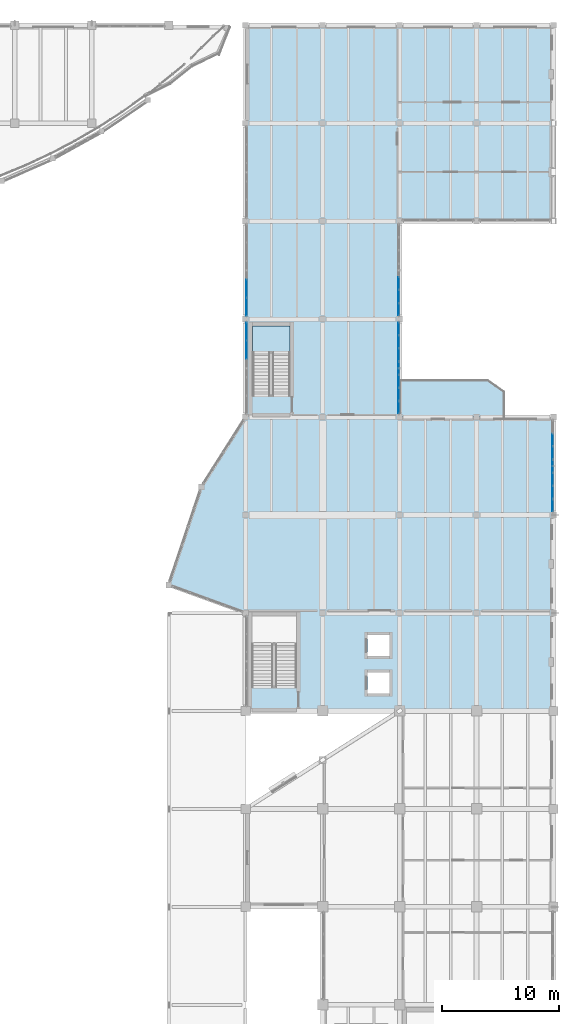
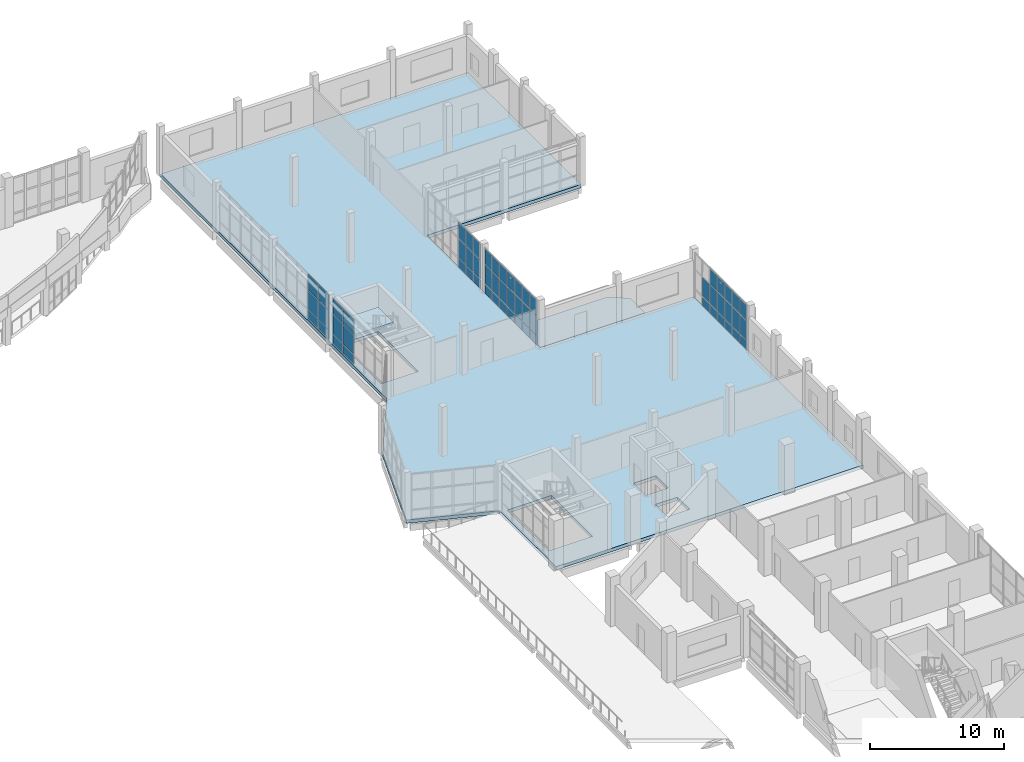
# One storey, part 45 of 83: 59 plates, 3 slabs, 6 elements without a shape of their own.
"""IFC4 building model written with IfcOpenShell, lengths in metres."""

from ifc_helpers import new_model, si_unit, direction, frame, origin, origin_2d, place, context, subcontext, project, spatial, polyline, rectangle, outline, extrude, material, layer, layer_set, type_object, element, aggregate, save


model = new_model("IFC4")

# Units and contexts
model_context = context("Model", 3, precision=1e-05, world=origin(), true_north=direction((0.0, 1.0)))
body_context = subcontext(model_context, "Body", "Model", "MODEL_VIEW")
ifc_project = project(units=[si_unit("LENGTHUNIT", "METRE"), si_unit("AREAUNIT", "SQUARE_METRE"), si_unit("VOLUMEUNIT", "CUBIC_METRE"), si_unit("PLANEANGLEUNIT", "RADIAN"), si_unit("MASSUNIT", "GRAM", prefix="KILO")], contexts=[model_context])

# Site, building, storey
site_placement = place(None, origin())
site = spatial("IfcSite", under=ifc_project, at=site_placement, CompositionType="ELEMENT")
building_placement = place(site_placement, origin())
building = spatial("IfcBuilding", under=site, at=building_placement, Name="Qaldarim Faculty of Natural and Applied Sciences", CompositionType="ELEMENT")
storey_placement = place(building_placement, frame((0.0, 0.0, 5.39990234375)))
storey = spatial("IfcBuildingStorey", under=building, at=storey_placement, Name="L01", CompositionType="ELEMENT", Elevation=5.39990234375)

# Slab
ifc_material_1 = material(Name="Concrete C40/50", Category="concrete")
ifc_layer_1 = layer(ifc_material_1, 0.300048828125)
ifc_layer_set_1 = layer_set([ifc_layer_1], Name="Concrete C40/50")
slab_type_1 = type_object("IfcSlabType", Name="PodiumFloorSlab-300", PredefinedType="FLOOR", material=ifc_layer_set_1)
slab_1_placement = place(storey_placement, frame((0.0, 0.0, -0.2998046875)))
element("IfcSlab", 1, at=slab_1_placement, inside=storey, type_object=slab_type_1, Name="Floor slab L01 V3", PredefinedType="FLOOR", context=body_context, shape_type="SweptSolid", body=[
    extrude(outline(polyline([(148.0, 78.0), (151.800048828125, 84.0), (151.800048828125, 117.60009765625), (178.199951171875, 117.60009765625), (178.199951171875, 100.800048828125), (165.0, 100.800048828125), (165.0, 84.0), (178.199951171875, 84.0), (178.199951171875, 58.800048828125), (151.800048828125, 58.800048828125), (151.800048828125, 67.199951171875), (145.199951171875, 69.60009765625), (148.0, 78.0)]), holes=[polyline([(156.14990234375, 60.864990234375), (156.14990234375, 66.97509765625), (152.35009765625, 66.97509765625), (152.35009765625, 60.864990234375), (156.14990234375, 60.864990234375)]), polyline([(155.60009765625, 85.864990234375), (155.60009765625, 91.824951171875), (152.39990234375, 91.824951171875), (152.39990234375, 85.864990234375), (155.60009765625, 85.864990234375)]), polyline([(162.25, 60.300048828125), (164.14990234375, 60.300048828125), (164.14990234375, 62.10009765625), (162.25, 62.10009765625), (162.25, 60.300048828125)]), polyline([(162.25, 63.5), (164.14990234375, 63.5), (164.14990234375, 65.300048828125), (162.25, 65.300048828125), (162.25, 63.5)])]), origin(), (0.0, 0.0, 1.0), 0.2998046875),
])

# Curtain wall, plates
ifc_material_2 = material(Name="Anodised aluminium AW-6063", Category="aluminium")
curtain_wall_type_1 = type_object("IfcCurtainWallType", Name="CurtainWallSystem-M1200", PredefinedType="USERDEFINED", material=ifc_material_2)
curtain_wall_1_placement = place(storey_placement, origin())
curtain_wall_1 = element("IfcCurtainWall", 2, at=curtain_wall_1_placement, inside=storey, type_object=curtain_wall_type_1, Name="Curtain wall CW-L01-E-X25Y11", ObjectType="STICK CURTAIN WALL", PredefinedType="USERDEFINED")
ifc_material_3 = material(Name="Insulated low-e double glazing", Category="glass")
ifc_layer_2 = layer(ifc_material_3, 0.031982421875)
ifc_layer_set_2 = layer_set([ifc_layer_2], Name="Insulated low-e double glazing")
plate_type_1 = type_object("IfcPlateType", Name="SolarControlGlazingPanel-32", PredefinedType="CURTAIN_PANEL", material=ifc_layer_set_2)
plate_1_placement = place(storey_placement, frame((164.919921875, 84.827392578125, 0.070068359375), z_axis=(0.0, 0.0, 1.0), x_axis=(0.0, 1.0, 0.0)))
plate_1 = element("IfcPlate", 3, at=plate_1_placement, type_object=plate_type_1, Name="Glazed panel 1-1 of CW-L01-E-X25Y11", PredefinedType="CURTAIN_PANEL", context=body_context, shape_type="SweptSolid", body=[
    extrude(rectangle(XDim=1.02490234375, YDim=0.031982421875, at=origin_2d()), origin(), (0.0, 0.0, 1.0), 0.794921875),
])
plate_2_placement = place(storey_placement, frame((164.919921875, 84.827392578125, 0.93505859375), z_axis=(0.0, 0.0, 1.0), x_axis=(0.0, 1.0, 0.0)))
plate_2 = element("IfcPlate", 4, at=plate_2_placement, type_object=plate_type_1, Name="Glazed panel 1-2 of CW-L01-E-X25Y11", PredefinedType="CURTAIN_PANEL", context=body_context, shape_type="SweptSolid", body=[
    extrude(rectangle(XDim=1.02490234375, YDim=0.031982421875, at=origin_2d()), origin(), (0.0, 0.0, 1.0), 1.72998046875),
])
plate_3_placement = place(storey_placement, frame((164.919921875, 84.827392578125, 2.735107421875), z_axis=(0.0, 0.0, 1.0), x_axis=(0.0, 1.0, 0.0)))
plate_3 = element("IfcPlate", 5, at=plate_3_placement, type_object=plate_type_1, Name="Glazed panel 1-3 of CW-L01-E-X25Y11", PredefinedType="CURTAIN_PANEL", context=body_context, shape_type="SweptSolid", body=[
    extrude(rectangle(XDim=1.02490234375, YDim=0.031982421875, at=origin_2d()), origin(), (0.0, 0.0, 1.0), 1.39501953125),
])
plate_4_placement = place(storey_placement, frame((164.919921875, 85.93994140625, 0.070068359375), z_axis=(0.0, 0.0, 1.0), x_axis=(0.0, 1.0, 0.0)))
plate_4 = element("IfcPlate", 6, at=plate_4_placement, type_object=plate_type_1, Name="Glazed panel 2-1 of CW-L01-E-X25Y11", PredefinedType="CURTAIN_PANEL", context=body_context, shape_type="SweptSolid", body=[
    extrude(rectangle(XDim=1.06005859375, YDim=0.031982421875, at=origin_2d()), origin(), (0.0, 0.0, 1.0), 0.794921875),
])
plate_5_placement = place(storey_placement, frame((164.919921875, 85.93994140625, 0.93505859375), z_axis=(0.0, 0.0, 1.0), x_axis=(0.0, 1.0, 0.0)))
plate_5 = element("IfcPlate", 7, at=plate_5_placement, type_object=plate_type_1, Name="Glazed panel 2-2 of CW-L01-E-X25Y11", PredefinedType="CURTAIN_PANEL", context=body_context, shape_type="SweptSolid", body=[
    extrude(rectangle(XDim=1.06005859375, YDim=0.031982421875, at=origin_2d()), origin(), (0.0, 0.0, 1.0), 1.72998046875),
])
plate_6_placement = place(storey_placement, frame((164.919921875, 85.93994140625, 2.735107421875), z_axis=(0.0, 0.0, 1.0), x_axis=(0.0, 1.0, 0.0)))
plate_6 = element("IfcPlate", 8, at=plate_6_placement, type_object=plate_type_1, Name="Glazed panel 2-3 of CW-L01-E-X25Y11", PredefinedType="CURTAIN_PANEL", context=body_context, shape_type="SweptSolid", body=[
    extrude(rectangle(XDim=1.06005859375, YDim=0.031982421875, at=origin_2d()), origin(), (0.0, 0.0, 1.0), 1.39501953125),
])
plate_7_placement = place(storey_placement, frame((164.919921875, 87.070068359375, 0.070068359375), z_axis=(0.0, 0.0, 1.0), x_axis=(0.0, 1.0, 0.0)))
plate_7 = element("IfcPlate", 9, at=plate_7_placement, type_object=plate_type_1, Name="Glazed panel 3-1 of CW-L01-E-X25Y11", PredefinedType="CURTAIN_PANEL", context=body_context, shape_type="SweptSolid", body=[
    extrude(rectangle(XDim=1.06005859375, YDim=0.031982421875, at=origin_2d()), origin(), (0.0, 0.0, 1.0), 0.794921875),
])
plate_8_placement = place(storey_placement, frame((164.919921875, 87.070068359375, 0.93505859375), z_axis=(0.0, 0.0, 1.0), x_axis=(0.0, 1.0, 0.0)))
plate_8 = element("IfcPlate", 10, at=plate_8_placement, type_object=plate_type_1, Name="Glazed panel 3-2 of CW-L01-E-X25Y11", PredefinedType="CURTAIN_PANEL", context=body_context, shape_type="SweptSolid", body=[
    extrude(rectangle(XDim=1.06005859375, YDim=0.031982421875, at=origin_2d()), origin(), (0.0, 0.0, 1.0), 1.72998046875),
])
plate_9_placement = place(storey_placement, frame((164.919921875, 87.070068359375, 2.735107421875), z_axis=(0.0, 0.0, 1.0), x_axis=(0.0, 1.0, 0.0)))
plate_9 = element("IfcPlate", 11, at=plate_9_placement, type_object=plate_type_1, Name="Glazed panel 3-3 of CW-L01-E-X25Y11", PredefinedType="CURTAIN_PANEL", context=body_context, shape_type="SweptSolid", body=[
    extrude(rectangle(XDim=1.06005859375, YDim=0.031982421875, at=origin_2d()), origin(), (0.0, 0.0, 1.0), 1.39501953125),
])
plate_10_placement = place(storey_placement, frame((164.919921875, 88.199951171875, 0.070068359375), z_axis=(0.0, 0.0, 1.0), x_axis=(0.0, 1.0, 0.0)))
plate_10 = element("IfcPlate", 12, at=plate_10_placement, type_object=plate_type_1, Name="Glazed panel 4-1 of CW-L01-E-X25Y11", PredefinedType="CURTAIN_PANEL", context=body_context, shape_type="SweptSolid", body=[
    extrude(rectangle(XDim=1.06005859375, YDim=0.031982421875, at=origin_2d()), origin(), (0.0, 0.0, 1.0), 0.794921875),
])
plate_11_placement = place(storey_placement, frame((164.919921875, 88.199951171875, 0.93505859375), z_axis=(0.0, 0.0, 1.0), x_axis=(0.0, 1.0, 0.0)))
plate_11 = element("IfcPlate", 13, at=plate_11_placement, type_object=plate_type_1, Name="Glazed panel 4-2 of CW-L01-E-X25Y11", PredefinedType="CURTAIN_PANEL", context=body_context, shape_type="SweptSolid", body=[
    extrude(rectangle(XDim=1.06005859375, YDim=0.031982421875, at=origin_2d()), origin(), (0.0, 0.0, 1.0), 1.72998046875),
])
plate_12_placement = place(storey_placement, frame((164.919921875, 88.199951171875, 2.735107421875), z_axis=(0.0, 0.0, 1.0), x_axis=(0.0, 1.0, 0.0)))
plate_12 = element("IfcPlate", 14, at=plate_12_placement, type_object=plate_type_1, Name="Glazed panel 4-3 of CW-L01-E-X25Y11", PredefinedType="CURTAIN_PANEL", context=body_context, shape_type="SweptSolid", body=[
    extrude(rectangle(XDim=1.06005859375, YDim=0.031982421875, at=origin_2d()), origin(), (0.0, 0.0, 1.0), 1.39501953125),
])
plate_13_placement = place(storey_placement, frame((164.919921875, 89.330078125, 0.070068359375), z_axis=(0.0, 0.0, 1.0), x_axis=(0.0, 1.0, 0.0)))
plate_13 = element("IfcPlate", 15, at=plate_13_placement, type_object=plate_type_1, Name="Glazed panel 5-1 of CW-L01-E-X25Y11", PredefinedType="CURTAIN_PANEL", context=body_context, shape_type="SweptSolid", body=[
    extrude(rectangle(XDim=1.06005859375, YDim=0.031982421875, at=origin_2d()), origin(), (0.0, 0.0, 1.0), 0.794921875),
])
plate_14_placement = place(storey_placement, frame((164.919921875, 89.330078125, 0.93505859375), z_axis=(0.0, 0.0, 1.0), x_axis=(0.0, 1.0, 0.0)))
plate_14 = element("IfcPlate", 16, at=plate_14_placement, type_object=plate_type_1, Name="Glazed panel 5-2 of CW-L01-E-X25Y11", PredefinedType="CURTAIN_PANEL", context=body_context, shape_type="SweptSolid", body=[
    extrude(rectangle(XDim=1.06005859375, YDim=0.031982421875, at=origin_2d()), origin(), (0.0, 0.0, 1.0), 1.72998046875),
])
plate_15_placement = place(storey_placement, frame((164.919921875, 89.330078125, 2.735107421875), z_axis=(0.0, 0.0, 1.0), x_axis=(0.0, 1.0, 0.0)))
plate_15 = element("IfcPlate", 17, at=plate_15_placement, type_object=plate_type_1, Name="Glazed panel 5-3 of CW-L01-E-X25Y11", PredefinedType="CURTAIN_PANEL", context=body_context, shape_type="SweptSolid", body=[
    extrude(rectangle(XDim=1.06005859375, YDim=0.031982421875, at=origin_2d()), origin(), (0.0, 0.0, 1.0), 1.39501953125),
])
plate_16_placement = place(storey_placement, frame((164.919921875, 90.4599609375, 0.070068359375), z_axis=(0.0, 0.0, 1.0), x_axis=(0.0, 1.0, 0.0)))
plate_16 = element("IfcPlate", 18, at=plate_16_placement, type_object=plate_type_1, Name="Glazed panel 6-1 of CW-L01-E-X25Y11", PredefinedType="CURTAIN_PANEL", context=body_context, shape_type="SweptSolid", body=[
    extrude(rectangle(XDim=1.06005859375, YDim=0.031982421875, at=origin_2d()), origin(), (0.0, 0.0, 1.0), 0.794921875),
])
plate_17_placement = place(storey_placement, frame((164.919921875, 90.4599609375, 0.93505859375), z_axis=(0.0, 0.0, 1.0), x_axis=(0.0, 1.0, 0.0)))
plate_17 = element("IfcPlate", 19, at=plate_17_placement, type_object=plate_type_1, Name="Glazed panel 6-2 of CW-L01-E-X25Y11", PredefinedType="CURTAIN_PANEL", context=body_context, shape_type="SweptSolid", body=[
    extrude(rectangle(XDim=1.06005859375, YDim=0.031982421875, at=origin_2d()), origin(), (0.0, 0.0, 1.0), 1.72998046875),
])
plate_18_placement = place(storey_placement, frame((164.919921875, 90.4599609375, 2.735107421875), z_axis=(0.0, 0.0, 1.0), x_axis=(0.0, 1.0, 0.0)))
plate_18 = element("IfcPlate", 20, at=plate_18_placement, type_object=plate_type_1, Name="Glazed panel 6-3 of CW-L01-E-X25Y11", PredefinedType="CURTAIN_PANEL", context=body_context, shape_type="SweptSolid", body=[
    extrude(rectangle(XDim=1.06005859375, YDim=0.031982421875, at=origin_2d()), origin(), (0.0, 0.0, 1.0), 1.39501953125),
])
plate_19_placement = place(storey_placement, frame((164.919921875, 91.572509765625, 0.070068359375), z_axis=(0.0, 0.0, 1.0), x_axis=(0.0, 1.0, 0.0)))
plate_19 = element("IfcPlate", 21, at=plate_19_placement, type_object=plate_type_1, Name="Glazed panel 7-1 of CW-L01-E-X25Y11", PredefinedType="CURTAIN_PANEL", context=body_context, shape_type="SweptSolid", body=[
    extrude(rectangle(XDim=1.02490234375, YDim=0.031982421875, at=origin_2d()), origin(), (0.0, 0.0, 1.0), 0.794921875),
])
plate_20_placement = place(storey_placement, frame((164.919921875, 91.572509765625, 0.93505859375), z_axis=(0.0, 0.0, 1.0), x_axis=(0.0, 1.0, 0.0)))
plate_20 = element("IfcPlate", 22, at=plate_20_placement, type_object=plate_type_1, Name="Glazed panel 7-2 of CW-L01-E-X25Y11", PredefinedType="CURTAIN_PANEL", context=body_context, shape_type="SweptSolid", body=[
    extrude(rectangle(XDim=1.02490234375, YDim=0.031982421875, at=origin_2d()), origin(), (0.0, 0.0, 1.0), 1.72998046875),
])
plate_21_placement = place(storey_placement, frame((164.919921875, 91.572509765625, 2.735107421875), z_axis=(0.0, 0.0, 1.0), x_axis=(0.0, 1.0, 0.0)))
plate_21 = element("IfcPlate", 23, at=plate_21_placement, type_object=plate_type_1, Name="Glazed panel 7-3 of CW-L01-E-X25Y11", PredefinedType="CURTAIN_PANEL", context=body_context, shape_type="SweptSolid", body=[
    extrude(rectangle(XDim=1.02490234375, YDim=0.031982421875, at=origin_2d()), origin(), (0.0, 0.0, 1.0), 1.39501953125),
])
aggregate(curtain_wall_1, [plate_1, plate_2, plate_3, plate_4, plate_5, plate_6, plate_7, plate_8, plate_9, plate_10, plate_11, plate_12, plate_13, plate_14, plate_15, plate_16, plate_17, plate_18, plate_19, plate_20, plate_21])

curtain_wall_2_placement = place(storey_placement, origin())
curtain_wall_2 = element("IfcCurtainWall", 24, at=curtain_wall_2_placement, inside=storey, type_object=curtain_wall_type_1, Name="Curtain wall CW-L01-E-X25Y12", ObjectType="STICK CURTAIN WALL", PredefinedType="USERDEFINED")
plate_22_placement = place(storey_placement, frame((164.919921875, 93.2275390625, 0.070068359375), z_axis=(0.0, 0.0, 1.0), x_axis=(0.0, 1.0, 0.0)))
plate_22 = element("IfcPlate", 25, at=plate_22_placement, type_object=plate_type_1, Name="Glazed panel 1-1 of CW-L01-E-X25Y12", PredefinedType="CURTAIN_PANEL", context=body_context, shape_type="SweptSolid", body=[
    extrude(rectangle(XDim=1.02490234375, YDim=0.031982421875, at=origin_2d()), origin(), (0.0, 0.0, 1.0), 0.794921875),
])
plate_23_placement = place(storey_placement, frame((164.919921875, 93.2275390625, 0.93505859375), z_axis=(0.0, 0.0, 1.0), x_axis=(0.0, 1.0, 0.0)))
plate_23 = element("IfcPlate", 26, at=plate_23_placement, type_object=plate_type_1, Name="Glazed panel 1-2 of CW-L01-E-X25Y12", PredefinedType="CURTAIN_PANEL", context=body_context, shape_type="SweptSolid", body=[
    extrude(rectangle(XDim=1.02490234375, YDim=0.031982421875, at=origin_2d()), origin(), (0.0, 0.0, 1.0), 1.72998046875),
])
plate_24_placement = place(storey_placement, frame((164.919921875, 93.2275390625, 2.735107421875), z_axis=(0.0, 0.0, 1.0), x_axis=(0.0, 1.0, 0.0)))
plate_24 = element("IfcPlate", 27, at=plate_24_placement, type_object=plate_type_1, Name="Glazed panel 1-3 of CW-L01-E-X25Y12", PredefinedType="CURTAIN_PANEL", context=body_context, shape_type="SweptSolid", body=[
    extrude(rectangle(XDim=1.02490234375, YDim=0.031982421875, at=origin_2d()), origin(), (0.0, 0.0, 1.0), 1.39501953125),
])
plate_25_placement = place(storey_placement, frame((164.919921875, 94.340087890625, 0.070068359375), z_axis=(0.0, 0.0, 1.0), x_axis=(0.0, 1.0, 0.0)))
plate_25 = element("IfcPlate", 28, at=plate_25_placement, type_object=plate_type_1, Name="Glazed panel 2-1 of CW-L01-E-X25Y12", PredefinedType="CURTAIN_PANEL", context=body_context, shape_type="SweptSolid", body=[
    extrude(rectangle(XDim=1.06005859375, YDim=0.031982421875, at=origin_2d()), origin(), (0.0, 0.0, 1.0), 0.794921875),
])
plate_26_placement = place(storey_placement, frame((164.919921875, 94.340087890625, 0.93505859375), z_axis=(0.0, 0.0, 1.0), x_axis=(0.0, 1.0, 0.0)))
plate_26 = element("IfcPlate", 29, at=plate_26_placement, type_object=plate_type_1, Name="Glazed panel 2-2 of CW-L01-E-X25Y12", PredefinedType="CURTAIN_PANEL", context=body_context, shape_type="SweptSolid", body=[
    extrude(rectangle(XDim=1.06005859375, YDim=0.031982421875, at=origin_2d()), origin(), (0.0, 0.0, 1.0), 1.72998046875),
])
plate_27_placement = place(storey_placement, frame((164.919921875, 94.340087890625, 2.735107421875), z_axis=(0.0, 0.0, 1.0), x_axis=(0.0, 1.0, 0.0)))
plate_27 = element("IfcPlate", 30, at=plate_27_placement, type_object=plate_type_1, Name="Glazed panel 2-3 of CW-L01-E-X25Y12", PredefinedType="CURTAIN_PANEL", context=body_context, shape_type="SweptSolid", body=[
    extrude(rectangle(XDim=1.06005859375, YDim=0.031982421875, at=origin_2d()), origin(), (0.0, 0.0, 1.0), 1.39501953125),
])
plate_28_placement = place(storey_placement, frame((164.919921875, 95.469970703125, 0.070068359375), z_axis=(0.0, 0.0, 1.0), x_axis=(0.0, 1.0, 0.0)))
plate_28 = element("IfcPlate", 31, at=plate_28_placement, type_object=plate_type_1, Name="Glazed panel 3-1 of CW-L01-E-X25Y12", PredefinedType="CURTAIN_PANEL", context=body_context, shape_type="SweptSolid", body=[
    extrude(rectangle(XDim=1.06005859375, YDim=0.031982421875, at=origin_2d()), origin(), (0.0, 0.0, 1.0), 0.794921875),
])
plate_29_placement = place(storey_placement, frame((164.919921875, 95.469970703125, 0.93505859375), z_axis=(0.0, 0.0, 1.0), x_axis=(0.0, 1.0, 0.0)))
plate_29 = element("IfcPlate", 32, at=plate_29_placement, type_object=plate_type_1, Name="Glazed panel 3-2 of CW-L01-E-X25Y12", PredefinedType="CURTAIN_PANEL", context=body_context, shape_type="SweptSolid", body=[
    extrude(rectangle(XDim=1.06005859375, YDim=0.031982421875, at=origin_2d()), origin(), (0.0, 0.0, 1.0), 1.72998046875),
])
plate_30_placement = place(storey_placement, frame((164.919921875, 95.469970703125, 2.735107421875), z_axis=(0.0, 0.0, 1.0), x_axis=(0.0, 1.0, 0.0)))
plate_30 = element("IfcPlate", 33, at=plate_30_placement, type_object=plate_type_1, Name="Glazed panel 3-3 of CW-L01-E-X25Y12", PredefinedType="CURTAIN_PANEL", context=body_context, shape_type="SweptSolid", body=[
    extrude(rectangle(XDim=1.06005859375, YDim=0.031982421875, at=origin_2d()), origin(), (0.0, 0.0, 1.0), 1.39501953125),
])
aggregate(curtain_wall_2, [plate_22, plate_23, plate_24, plate_25, plate_26, plate_27, plate_28, plate_29, plate_30])

curtain_wall_3_placement = place(storey_placement, origin())
curtain_wall_3 = element("IfcCurtainWall", 34, at=curtain_wall_3_placement, inside=storey, type_object=curtain_wall_type_1, Name="Curtain wall CW-L01-E-X27Y10", ObjectType="STICK CURTAIN WALL", PredefinedType="USERDEFINED")
plate_31_placement = place(storey_placement, frame((178.1201171875, 76.427490234375, 0.070068359375), z_axis=(0.0, 0.0, 1.0), x_axis=(0.0, 1.0, 0.0)))
plate_31 = element("IfcPlate", 35, at=plate_31_placement, type_object=plate_type_1, Name="Glazed panel 1-1 of CW-L01-E-X27Y10", PredefinedType="CURTAIN_PANEL", context=body_context, shape_type="SweptSolid", body=[
    extrude(rectangle(XDim=1.02490234375, YDim=0.031982421875, at=origin_2d()), origin(), (0.0, 0.0, 1.0), 0.794921875),
])
plate_32_placement = place(storey_placement, frame((178.1201171875, 76.427490234375, 0.93505859375), z_axis=(0.0, 0.0, 1.0), x_axis=(0.0, 1.0, 0.0)))
plate_32 = element("IfcPlate", 36, at=plate_32_placement, type_object=plate_type_1, Name="Glazed panel 1-2 of CW-L01-E-X27Y10", PredefinedType="CURTAIN_PANEL", context=body_context, shape_type="SweptSolid", body=[
    extrude(rectangle(XDim=1.02490234375, YDim=0.031982421875, at=origin_2d()), origin(), (0.0, 0.0, 1.0), 1.72998046875),
])
plate_33_placement = place(storey_placement, frame((178.1201171875, 76.427490234375, 2.735107421875), z_axis=(0.0, 0.0, 1.0), x_axis=(0.0, 1.0, 0.0)))
plate_33 = element("IfcPlate", 37, at=plate_33_placement, type_object=plate_type_1, Name="Glazed panel 1-3 of CW-L01-E-X27Y10", PredefinedType="CURTAIN_PANEL", context=body_context, shape_type="SweptSolid", body=[
    extrude(rectangle(XDim=1.02490234375, YDim=0.031982421875, at=origin_2d()), origin(), (0.0, 0.0, 1.0), 1.39501953125),
])
plate_34_placement = place(storey_placement, frame((178.1201171875, 77.5400390625, 0.070068359375), z_axis=(0.0, 0.0, 1.0), x_axis=(0.0, 1.0, 0.0)))
plate_34 = element("IfcPlate", 38, at=plate_34_placement, type_object=plate_type_1, Name="Glazed panel 2-1 of CW-L01-E-X27Y10", PredefinedType="CURTAIN_PANEL", context=body_context, shape_type="SweptSolid", body=[
    extrude(rectangle(XDim=1.06005859375, YDim=0.031982421875, at=origin_2d()), origin(), (0.0, 0.0, 1.0), 0.794921875),
])
plate_35_placement = place(storey_placement, frame((178.1201171875, 77.5400390625, 0.93505859375), z_axis=(0.0, 0.0, 1.0), x_axis=(0.0, 1.0, 0.0)))
plate_35 = element("IfcPlate", 39, at=plate_35_placement, type_object=plate_type_1, Name="Glazed panel 2-2 of CW-L01-E-X27Y10", PredefinedType="CURTAIN_PANEL", context=body_context, shape_type="SweptSolid", body=[
    extrude(rectangle(XDim=1.06005859375, YDim=0.031982421875, at=origin_2d()), origin(), (0.0, 0.0, 1.0), 1.72998046875),
])
plate_36_placement = place(storey_placement, frame((178.1201171875, 77.5400390625, 2.735107421875), z_axis=(0.0, 0.0, 1.0), x_axis=(0.0, 1.0, 0.0)))
plate_36 = element("IfcPlate", 40, at=plate_36_placement, type_object=plate_type_1, Name="Glazed panel 2-3 of CW-L01-E-X27Y10", PredefinedType="CURTAIN_PANEL", context=body_context, shape_type="SweptSolid", body=[
    extrude(rectangle(XDim=1.06005859375, YDim=0.031982421875, at=origin_2d()), origin(), (0.0, 0.0, 1.0), 1.39501953125),
])
plate_37_placement = place(storey_placement, frame((178.1201171875, 78.669921875, 0.070068359375), z_axis=(0.0, 0.0, 1.0), x_axis=(0.0, 1.0, 0.0)))
plate_37 = element("IfcPlate", 41, at=plate_37_placement, type_object=plate_type_1, Name="Glazed panel 3-1 of CW-L01-E-X27Y10", PredefinedType="CURTAIN_PANEL", context=body_context, shape_type="SweptSolid", body=[
    extrude(rectangle(XDim=1.06005859375, YDim=0.031982421875, at=origin_2d()), origin(), (0.0, 0.0, 1.0), 0.794921875),
])
plate_38_placement = place(storey_placement, frame((178.1201171875, 78.669921875, 0.93505859375), z_axis=(0.0, 0.0, 1.0), x_axis=(0.0, 1.0, 0.0)))
plate_38 = element("IfcPlate", 42, at=plate_38_placement, type_object=plate_type_1, Name="Glazed panel 3-2 of CW-L01-E-X27Y10", PredefinedType="CURTAIN_PANEL", context=body_context, shape_type="SweptSolid", body=[
    extrude(rectangle(XDim=1.06005859375, YDim=0.031982421875, at=origin_2d()), origin(), (0.0, 0.0, 1.0), 1.72998046875),
])
plate_39_placement = place(storey_placement, frame((178.1201171875, 78.669921875, 2.735107421875), z_axis=(0.0, 0.0, 1.0), x_axis=(0.0, 1.0, 0.0)))
plate_39 = element("IfcPlate", 43, at=plate_39_placement, type_object=plate_type_1, Name="Glazed panel 3-3 of CW-L01-E-X27Y10", PredefinedType="CURTAIN_PANEL", context=body_context, shape_type="SweptSolid", body=[
    extrude(rectangle(XDim=1.06005859375, YDim=0.031982421875, at=origin_2d()), origin(), (0.0, 0.0, 1.0), 1.39501953125),
])
plate_40_placement = place(storey_placement, frame((178.1201171875, 79.800048828125, 0.070068359375), z_axis=(0.0, 0.0, 1.0), x_axis=(0.0, 1.0, 0.0)))
plate_40 = element("IfcPlate", 44, at=plate_40_placement, type_object=plate_type_1, Name="Glazed panel 4-1 of CW-L01-E-X27Y10", PredefinedType="CURTAIN_PANEL", context=body_context, shape_type="SweptSolid", body=[
    extrude(rectangle(XDim=1.06005859375, YDim=0.031982421875, at=origin_2d()), origin(), (0.0, 0.0, 1.0), 0.794921875),
])
plate_41_placement = place(storey_placement, frame((178.1201171875, 79.800048828125, 0.93505859375), z_axis=(0.0, 0.0, 1.0), x_axis=(0.0, 1.0, 0.0)))
plate_41 = element("IfcPlate", 45, at=plate_41_placement, type_object=plate_type_1, Name="Glazed panel 4-2 of CW-L01-E-X27Y10", PredefinedType="CURTAIN_PANEL", context=body_context, shape_type="SweptSolid", body=[
    extrude(rectangle(XDim=1.06005859375, YDim=0.031982421875, at=origin_2d()), origin(), (0.0, 0.0, 1.0), 1.72998046875),
])
plate_42_placement = place(storey_placement, frame((178.1201171875, 79.800048828125, 2.735107421875), z_axis=(0.0, 0.0, 1.0), x_axis=(0.0, 1.0, 0.0)))
plate_42 = element("IfcPlate", 46, at=plate_42_placement, type_object=plate_type_1, Name="Glazed panel 4-3 of CW-L01-E-X27Y10", PredefinedType="CURTAIN_PANEL", context=body_context, shape_type="SweptSolid", body=[
    extrude(rectangle(XDim=1.06005859375, YDim=0.031982421875, at=origin_2d()), origin(), (0.0, 0.0, 1.0), 1.39501953125),
])
plate_43_placement = place(storey_placement, frame((178.1201171875, 80.929931640625, 0.070068359375), z_axis=(0.0, 0.0, 1.0), x_axis=(0.0, 1.0, 0.0)))
plate_43 = element("IfcPlate", 47, at=plate_43_placement, type_object=plate_type_1, Name="Glazed panel 5-1 of CW-L01-E-X27Y10", PredefinedType="CURTAIN_PANEL", context=body_context, shape_type="SweptSolid", body=[
    extrude(rectangle(XDim=1.06005859375, YDim=0.031982421875, at=origin_2d()), origin(), (0.0, 0.0, 1.0), 0.794921875),
])
plate_44_placement = place(storey_placement, frame((178.1201171875, 80.929931640625, 0.93505859375), z_axis=(0.0, 0.0, 1.0), x_axis=(0.0, 1.0, 0.0)))
plate_44 = element("IfcPlate", 48, at=plate_44_placement, type_object=plate_type_1, Name="Glazed panel 5-2 of CW-L01-E-X27Y10", PredefinedType="CURTAIN_PANEL", context=body_context, shape_type="SweptSolid", body=[
    extrude(rectangle(XDim=1.06005859375, YDim=0.031982421875, at=origin_2d()), origin(), (0.0, 0.0, 1.0), 1.72998046875),
])
plate_45_placement = place(storey_placement, frame((178.1201171875, 80.929931640625, 2.735107421875), z_axis=(0.0, 0.0, 1.0), x_axis=(0.0, 1.0, 0.0)))
plate_45 = element("IfcPlate", 49, at=plate_45_placement, type_object=plate_type_1, Name="Glazed panel 5-3 of CW-L01-E-X27Y10", PredefinedType="CURTAIN_PANEL", context=body_context, shape_type="SweptSolid", body=[
    extrude(rectangle(XDim=1.06005859375, YDim=0.031982421875, at=origin_2d()), origin(), (0.0, 0.0, 1.0), 1.39501953125),
])
plate_46_placement = place(storey_placement, frame((178.1201171875, 82.06005859375, 0.070068359375), z_axis=(0.0, 0.0, 1.0), x_axis=(0.0, 1.0, 0.0)))
plate_46 = element("IfcPlate", 50, at=plate_46_placement, type_object=plate_type_1, Name="Glazed panel 6-1 of CW-L01-E-X27Y10", PredefinedType="CURTAIN_PANEL", context=body_context, shape_type="SweptSolid", body=[
    extrude(rectangle(XDim=1.06005859375, YDim=0.031982421875, at=origin_2d()), origin(), (0.0, 0.0, 1.0), 0.794921875),
])
plate_47_placement = place(storey_placement, frame((178.1201171875, 82.06005859375, 0.93505859375), z_axis=(0.0, 0.0, 1.0), x_axis=(0.0, 1.0, 0.0)))
plate_47 = element("IfcPlate", 51, at=plate_47_placement, type_object=plate_type_1, Name="Glazed panel 6-2 of CW-L01-E-X27Y10", PredefinedType="CURTAIN_PANEL", context=body_context, shape_type="SweptSolid", body=[
    extrude(rectangle(XDim=1.06005859375, YDim=0.031982421875, at=origin_2d()), origin(), (0.0, 0.0, 1.0), 1.72998046875),
])
aggregate(curtain_wall_3, [plate_31, plate_32, plate_33, plate_34, plate_35, plate_36, plate_37, plate_38, plate_39, plate_40, plate_41, plate_42, plate_43, plate_44, plate_45, plate_46, plate_47])

# Stair, slab
stair_type = type_object("IfcStairType", Name="DoglegStair-W1500-H4500-28R", PredefinedType="HALF_TURN_STAIR", material=ifc_material_1)
stair_placement = place(storey_placement, origin())
stair = element("IfcStair", 52, at=stair_placement, inside=storey, type_object=stair_type, Name="Enclosed exit stair ST-C2 L01", PredefinedType="HALF_TURN_STAIR")
ifc_layer_3 = layer(ifc_material_1, 0.2099609375)
ifc_layer_set_3 = layer_set([ifc_layer_3], Name="Concrete C40/50")
slab_type_2 = type_object("IfcSlabType", Name="StairLandingSlab-210", PredefinedType="LANDING", material=ifc_layer_set_3)
slab_2_placement = place(storey_placement, frame((0.0, 0.0, 2.0400390625)))
slab_2 = element("IfcSlab", 53, at=slab_2_placement, type_object=slab_type_2, Name="ST-C2 L01 half-landing 1", PredefinedType="LANDING", context=body_context, shape_type="SweptSolid", body=[
    extrude(outline(polyline([(155.60009765625, 89.5400390625), (155.60009765625, 91.800048828125), (152.39990234375, 91.800048828125), (152.39990234375, 89.5400390625), (155.60009765625, 89.5400390625)])), origin(), (0.0, 0.0, 1.0), 0.2099609375),
])
aggregate(stair, [slab_2])

# Slab
ifc_layer_4 = layer(ifc_material_1, 0.179931640625)
ifc_layer_set_4 = layer_set([ifc_layer_4], Name="Concrete C40/50")
slab_type_3 = type_object("IfcSlabType", Name="TerraceBalconySlab-180", PredefinedType="FLOOR", material=ifc_layer_set_4)
slab_3_placement = place(storey_placement, frame((0.0, 0.0, -0.179931640625)))
element("IfcSlab", 54, at=slab_3_placement, inside=storey, type_object=slab_type_3, Name="East botanical court reading balcony L01", PredefinedType="FLOOR", context=body_context, shape_type="SweptSolid", body=[
    extrude(outline(polyline([(165.0, 84.0), (174.0, 84.0), (174.0, 86.199951171875), (172.60009765625, 87.199951171875), (165.0, 87.199951171875), (165.0, 84.0)])), origin(), (0.0, 0.0, 1.0), 0.179931640625),
])

# Curtain wall, plates
curtain_wall_type_2 = type_object("IfcCurtainWallType", Name="CurtainWallSystem-M1600", PredefinedType="USERDEFINED", material=ifc_material_2)
curtain_wall_4_placement = place(storey_placement, origin())
curtain_wall_4 = element("IfcCurtainWall", 55, at=curtain_wall_4_placement, inside=storey, type_object=curtain_wall_type_2, Name="Curtain wall CW-L01-W-X24Y11", ObjectType="UNITISED FACADE", PredefinedType="USERDEFINED")
ifc_layer_5 = layer(ifc_material_3, 0.028076171875)
ifc_layer_set_5 = layer_set([ifc_layer_5], Name="Insulated low-e double glazing")
plate_type_2 = type_object("IfcPlateType", Name="VisionGlazingPanel-28", PredefinedType="CURTAIN_PANEL", material=ifc_layer_set_5)
plate_48_placement = place(storey_placement, frame((151.8798828125, 91.34912109375, 0.06005859375), z_axis=(0.0, 0.0, 1.0), x_axis=(0.0, -1.0, 0.0)))
plate_48 = element("IfcPlate", 56, at=plate_48_placement, type_object=plate_type_2, Name="Glazed panel 1-1 of CW-L01-W-X24Y11", PredefinedType="CURTAIN_PANEL", context=body_context, shape_type="SweptSolid", body=[
    extrude(rectangle(XDim=1.491943359375, YDim=0.028076171875, at=origin_2d()), origin(), (0.0, 0.0, 1.0), 0.81005859375),
])
plate_49_placement = place(storey_placement, frame((151.8798828125, 91.34912109375, 0.93017578125), z_axis=(0.0, 0.0, 1.0), x_axis=(0.0, -1.0, 0.0)))
plate_49 = element("IfcPlate", 57, at=plate_49_placement, type_object=plate_type_2, Name="Glazed panel 1-2 of CW-L01-W-X24Y11", PredefinedType="CURTAIN_PANEL", context=body_context, shape_type="SweptSolid", body=[
    extrude(rectangle(XDim=1.491943359375, YDim=0.028076171875, at=origin_2d()), origin(), (0.0, 0.0, 1.0), 1.739990234375),
])
plate_50_placement = place(storey_placement, frame((151.8798828125, 91.34912109375, 2.72998046875), z_axis=(0.0, 0.0, 1.0), x_axis=(0.0, -1.0, 0.0)))
plate_50 = element("IfcPlate", 58, at=plate_50_placement, type_object=plate_type_2, Name="Glazed panel 1-3 of CW-L01-W-X24Y11", PredefinedType="CURTAIN_PANEL", context=body_context, shape_type="SweptSolid", body=[
    extrude(rectangle(XDim=1.491943359375, YDim=0.028076171875, at=origin_2d()), origin(), (0.0, 0.0, 1.0), 1.409912109375),
])
plate_51_placement = place(storey_placement, frame((151.8798828125, 89.781982421875, 0.06005859375), z_axis=(0.0, 0.0, 1.0), x_axis=(0.0, -1.0, 0.0)))
plate_51 = element("IfcPlate", 59, at=plate_51_placement, type_object=plate_type_2, Name="Glazed panel 2-1 of CW-L01-W-X24Y11", PredefinedType="CURTAIN_PANEL", context=body_context, shape_type="SweptSolid", body=[
    extrude(rectangle(XDim=1.52197265625, YDim=0.028076171875, at=origin_2d()), origin(), (0.0, 0.0, 1.0), 0.81005859375),
])
plate_52_placement = place(storey_placement, frame((151.8798828125, 89.781982421875, 0.93017578125), z_axis=(0.0, 0.0, 1.0), x_axis=(0.0, -1.0, 0.0)))
plate_52 = element("IfcPlate", 60, at=plate_52_placement, type_object=plate_type_2, Name="Glazed panel 2-2 of CW-L01-W-X24Y11", PredefinedType="CURTAIN_PANEL", context=body_context, shape_type="SweptSolid", body=[
    extrude(rectangle(XDim=1.52197265625, YDim=0.028076171875, at=origin_2d()), origin(), (0.0, 0.0, 1.0), 1.739990234375),
])
plate_53_placement = place(storey_placement, frame((151.8798828125, 89.781982421875, 2.72998046875), z_axis=(0.0, 0.0, 1.0), x_axis=(0.0, -1.0, 0.0)))
plate_53 = element("IfcPlate", 61, at=plate_53_placement, type_object=plate_type_2, Name="Glazed panel 2-3 of CW-L01-W-X24Y11", PredefinedType="CURTAIN_PANEL", context=body_context, shape_type="SweptSolid", body=[
    extrude(rectangle(XDim=1.52197265625, YDim=0.028076171875, at=origin_2d()), origin(), (0.0, 0.0, 1.0), 1.409912109375),
])
aggregate(curtain_wall_4, [plate_48, plate_49, plate_50, plate_51, plate_52, plate_53])

curtain_wall_5_placement = place(storey_placement, origin())
curtain_wall_5 = element("IfcCurtainWall", 62, at=curtain_wall_5_placement, inside=storey, type_object=curtain_wall_type_2, Name="Curtain wall CW-L01-W-X24Y12", ObjectType="UNITISED FACADE", PredefinedType="USERDEFINED")
plate_54_placement = place(storey_placement, frame((151.8798828125, 95.01806640625, 0.06005859375), z_axis=(0.0, 0.0, 1.0), x_axis=(0.0, -1.0, 0.0)))
plate_54 = element("IfcPlate", 63, at=plate_54_placement, type_object=plate_type_2, Name="Glazed panel 4-1 of CW-L01-W-X24Y12", PredefinedType="CURTAIN_PANEL", context=body_context, shape_type="SweptSolid", body=[
    extrude(rectangle(XDim=1.52197265625, YDim=0.028076171875, at=origin_2d()), origin(), (0.0, 0.0, 1.0), 0.81005859375),
])
plate_55_placement = place(storey_placement, frame((151.8798828125, 95.01806640625, 0.93017578125), z_axis=(0.0, 0.0, 1.0), x_axis=(0.0, -1.0, 0.0)))
plate_55 = element("IfcPlate", 64, at=plate_55_placement, type_object=plate_type_2, Name="Glazed panel 4-2 of CW-L01-W-X24Y12", PredefinedType="CURTAIN_PANEL", context=body_context, shape_type="SweptSolid", body=[
    extrude(rectangle(XDim=1.52197265625, YDim=0.028076171875, at=origin_2d()), origin(), (0.0, 0.0, 1.0), 1.739990234375),
])
plate_56_placement = place(storey_placement, frame((151.8798828125, 95.01806640625, 2.72998046875), z_axis=(0.0, 0.0, 1.0), x_axis=(0.0, -1.0, 0.0)))
plate_56 = element("IfcPlate", 65, at=plate_56_placement, type_object=plate_type_2, Name="Glazed panel 4-3 of CW-L01-W-X24Y12", PredefinedType="CURTAIN_PANEL", context=body_context, shape_type="SweptSolid", body=[
    extrude(rectangle(XDim=1.52197265625, YDim=0.028076171875, at=origin_2d()), origin(), (0.0, 0.0, 1.0), 1.409912109375),
])
plate_57_placement = place(storey_placement, frame((151.8798828125, 93.450927734375, 0.06005859375), z_axis=(0.0, 0.0, 1.0), x_axis=(0.0, -1.0, 0.0)))
plate_57 = element("IfcPlate", 66, at=plate_57_placement, type_object=plate_type_2, Name="Glazed panel 5-1 of CW-L01-W-X24Y12", PredefinedType="CURTAIN_PANEL", context=body_context, shape_type="SweptSolid", body=[
    extrude(rectangle(XDim=1.491943359375, YDim=0.028076171875, at=origin_2d()), origin(), (0.0, 0.0, 1.0), 0.81005859375),
])
plate_58_placement = place(storey_placement, frame((151.8798828125, 93.450927734375, 0.93017578125), z_axis=(0.0, 0.0, 1.0), x_axis=(0.0, -1.0, 0.0)))
plate_58 = element("IfcPlate", 67, at=plate_58_placement, type_object=plate_type_2, Name="Glazed panel 5-2 of CW-L01-W-X24Y12", PredefinedType="CURTAIN_PANEL", context=body_context, shape_type="SweptSolid", body=[
    extrude(rectangle(XDim=1.491943359375, YDim=0.028076171875, at=origin_2d()), origin(), (0.0, 0.0, 1.0), 1.739990234375),
])
plate_59_placement = place(storey_placement, frame((151.8798828125, 93.450927734375, 2.72998046875), z_axis=(0.0, 0.0, 1.0), x_axis=(0.0, -1.0, 0.0)))
plate_59 = element("IfcPlate", 68, at=plate_59_placement, type_object=plate_type_2, Name="Glazed panel 5-3 of CW-L01-W-X24Y12", PredefinedType="CURTAIN_PANEL", context=body_context, shape_type="SweptSolid", body=[
    extrude(rectangle(XDim=1.491943359375, YDim=0.028076171875, at=origin_2d()), origin(), (0.0, 0.0, 1.0), 1.409912109375),
])
aggregate(curtain_wall_5, [plate_54, plate_55, plate_56, plate_57, plate_58, plate_59])

save(model, "model.ifc")
